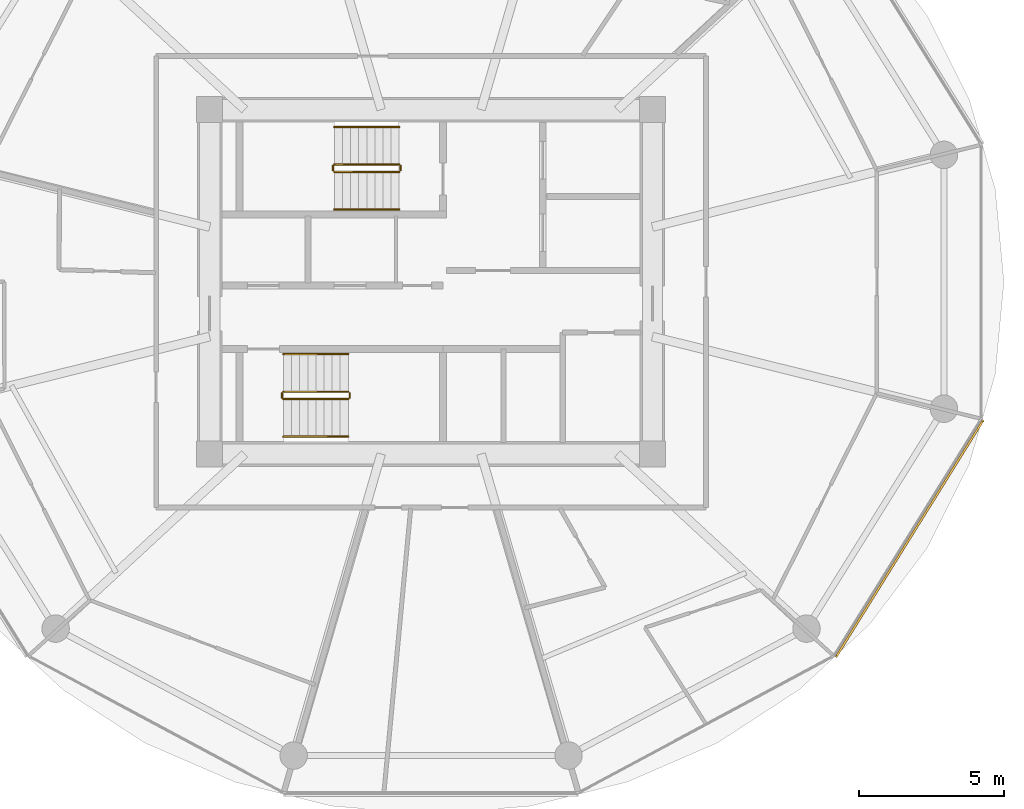
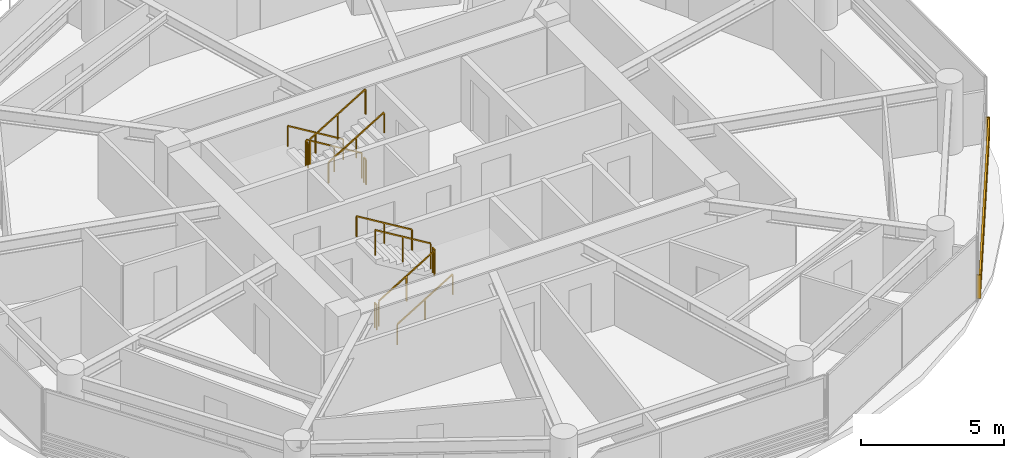
# One storey, part 26 of 27: 12 railings, 1 shading device.
"""IFC4 building model written with IfcOpenShell, lengths in metres."""

from ifc_helpers import new_model, si_unit, direction, frame, origin, origin_2d, place, context, subcontext, project, spatial, rectangle, extrude, source, transform, mapped, material, type_object, type_shapes, element, save


model = new_model("IFC4")

# Units and contexts
model_context = context("Model", 3, precision=1e-05, world=origin(), true_north=direction((0.0, 1.0)))
body_context = subcontext(model_context, "Body", "Model", "MODEL_VIEW")
ifc_project = project(units=[si_unit("LENGTHUNIT", "METRE"), si_unit("AREAUNIT", "SQUARE_METRE"), si_unit("VOLUMEUNIT", "CUBIC_METRE"), si_unit("PLANEANGLEUNIT", "RADIAN"), si_unit("MASSUNIT", "GRAM", prefix="KILO")], contexts=[model_context])

# Site, building, storey
site_placement = place(None, origin())
site = spatial("IfcSite", under=ifc_project, at=site_placement, CompositionType="ELEMENT")
building_placement = place(site_placement, origin())
building = spatial("IfcBuilding", under=site, at=building_placement, Name="Norrkilde Senior Care Towers", CompositionType="ELEMENT")
storey_placement = place(building_placement, frame((0.0, 0.0, 61.25)))
storey = spatial("IfcBuildingStorey", under=building, at=storey_placement, Name="L18", CompositionType="ELEMENT", Elevation=61.25)

# Railings
ifc_material_1 = material(Name="Stainless Steel", Category="steel")
railing_type_1 = type_object("IfcRailingType", Name="Stair and Terrace Guardrail 1100", PredefinedType="GUARDRAIL", material=ifc_material_1)
railing_1_placement = place(storey_placement, frame((26.89990234375, 4.050048828125, 0.16943359375)))
element("IfcRailing", 1, at=railing_1_placement, inside=storey, type_object=railing_type_1, Name="L18 ST-E1 stair guard 1", PredefinedType="GUARDRAIL", context=body_context, shape_type="SweptSolid", body=[
    extrude(rectangle(XDim=0.048095703125, YDim=0.048095703125, at=origin_2d()), frame((0.0, 0.0, 1.076171875), z_axis=(-0.855553338991, 0.0, 0.51771467445), x_axis=(0.0, -1.0, 0.0)), (0.0, 0.0, 1.0), 2.6181640625),
    extrude(rectangle(XDim=0.0419921875, YDim=0.0419921875, at=origin_2d()), origin(), (0.0, 0.0, 1.0), 1.050048828125),
    extrude(rectangle(XDim=0.0419921875, YDim=0.0419921875, at=origin_2d()), frame((-1.1201171875, 0.0, 0.677734375)), (0.0, 0.0, 1.0), 1.050048828125),
    extrude(rectangle(XDim=0.0419921875, YDim=0.0419921875, at=origin_2d()), frame((-2.239990234375, 0.0, 1.35546875)), (0.0, 0.0, 1.0), 1.050048828125),
])
railing_2_placement = place(storey_placement, frame((24.610107421875, 4.0, 1.52490234375)))
element("IfcRailing", 2, at=railing_2_placement, inside=storey, type_object=railing_type_1, Name="L18 ST-E1 stair guard 2", PredefinedType="GUARDRAIL", context=body_context, shape_type="SweptSolid", body=[
    extrude(rectangle(XDim=0.048095703125, YDim=0.048095703125, at=origin_2d()), frame((0.0, 0.0, 1.076171875), z_axis=(0.0, -1.0, 0.0), x_axis=(1.0, 0.0, 0.0)), (0.0, 0.0, 1.0), 0.14990234375),
    extrude(rectangle(XDim=0.0419921875, YDim=0.0419921875, at=origin_2d()), origin(), (0.0, 0.0, 1.0), 1.050048828125),
    extrude(rectangle(XDim=0.0419921875, YDim=0.0419921875, at=origin_2d()), frame((0.0, -0.14990234375, 0.0)), (0.0, 0.0, 1.0), 1.050048828125),
])
railing_3_placement = place(storey_placement, frame((24.659912109375, 3.800048828125, 1.6943359375)))
element("IfcRailing", 3, at=railing_3_placement, inside=storey, type_object=railing_type_1, Name="L18 ST-E1 stair guard 3", PredefinedType="GUARDRAIL", context=body_context, shape_type="SweptSolid", body=[
    extrude(rectangle(XDim=0.048095703125, YDim=0.048095703125, at=origin_2d()), frame((0.0, 0.0, 1.076171875), z_axis=(0.855512035549, 0.0, 0.517782924622), x_axis=(0.0, 1.0, 0.0)), (0.0, 0.0, 1.0), 2.618408203125),
    extrude(rectangle(XDim=0.0419921875, YDim=0.0419921875, at=origin_2d()), origin(), (0.0, 0.0, 1.0), 1.050048828125),
    extrude(rectangle(XDim=0.0419921875, YDim=0.0419921875, at=origin_2d()), frame((1.1201171875, 0.0, 0.677734375)), (0.0, 0.0, 1.0), 1.050048828125),
    extrude(rectangle(XDim=0.0419921875, YDim=0.0419921875, at=origin_2d()), frame((2.239990234375, 0.0, 1.355712890625)), (0.0, 0.0, 1.0), 1.050048828125),
])
railing_4_placement = place(storey_placement, frame((26.949951171875, 4.0, 0.0)))
element("IfcRailing", 4, at=railing_4_placement, inside=storey, type_object=railing_type_1, Name="L18 ST-E1 stair guard 4", PredefinedType="GUARDRAIL", context=body_context, shape_type="SweptSolid", body=[
    extrude(rectangle(XDim=0.048095703125, YDim=0.048095703125, at=origin_2d()), frame((0.0, 0.0, 1.076171875), z_axis=(0.0, -1.0, 0.0), x_axis=(1.0, 0.0, 0.0)), (0.0, 0.0, 1.0), 0.14990234375),
    extrude(rectangle(XDim=0.0419921875, YDim=0.0419921875, at=origin_2d()), origin(), (0.0, 0.0, 1.0), 1.050048828125),
    extrude(rectangle(XDim=0.0419921875, YDim=0.0419921875, at=origin_2d()), frame((0.0, -0.14990234375, 0.0)), (0.0, 0.0, 1.0), 1.050048828125),
])
railing_5_placement = place(storey_placement, frame((22.89990234375, -4.050048828125, 0.16943359375)))
element("IfcRailing", 5, at=railing_5_placement, inside=storey, type_object=railing_type_1, Name="L18 ST-E2 stair guard 1", PredefinedType="GUARDRAIL", context=body_context, shape_type="SweptSolid", body=[
    extrude(rectangle(XDim=0.048095703125, YDim=0.048095703125, at=origin_2d()), frame((0.0, 0.0, 1.076171875), z_axis=(0.855553338991, 0.0, 0.51771467445), x_axis=(0.0, 1.0, 0.0)), (0.0, 0.0, 1.0), 2.6181640625),
    extrude(rectangle(XDim=0.0419921875, YDim=0.0419921875, at=origin_2d()), origin(), (0.0, 0.0, 1.0), 1.050048828125),
    extrude(rectangle(XDim=0.0419921875, YDim=0.0419921875, at=origin_2d()), frame((1.1201171875, 0.0, 0.677734375)), (0.0, 0.0, 1.0), 1.050048828125),
    extrude(rectangle(XDim=0.0419921875, YDim=0.0419921875, at=origin_2d()), frame((2.239990234375, 0.0, 1.35546875)), (0.0, 0.0, 1.0), 1.050048828125),
])
railing_6_placement = place(storey_placement, frame((25.18994140625, -4.0, 1.52490234375)))
element("IfcRailing", 6, at=railing_6_placement, inside=storey, type_object=railing_type_1, Name="L18 ST-E2 stair guard 2", PredefinedType="GUARDRAIL", context=body_context, shape_type="SweptSolid", body=[
    extrude(rectangle(XDim=0.048095703125, YDim=0.048095703125, at=origin_2d()), frame((0.0, 0.0, 1.076171875), z_axis=(0.0, 1.0, 0.0), x_axis=(-1.0, 0.0, 0.0)), (0.0, 0.0, 1.0), 0.14990234375),
    extrude(rectangle(XDim=0.0419921875, YDim=0.0419921875, at=origin_2d()), origin(), (0.0, 0.0, 1.0), 1.050048828125),
    extrude(rectangle(XDim=0.0419921875, YDim=0.0419921875, at=origin_2d()), frame((0.0, 0.14990234375, 0.0)), (0.0, 0.0, 1.0), 1.050048828125),
])
railing_7_placement = place(storey_placement, frame((25.139892578125, -3.800048828125, 1.6943359375)))
element("IfcRailing", 7, at=railing_7_placement, inside=storey, type_object=railing_type_1, Name="L18 ST-E2 stair guard 3", PredefinedType="GUARDRAIL", context=body_context, shape_type="SweptSolid", body=[
    extrude(rectangle(XDim=0.048095703125, YDim=0.048095703125, at=origin_2d()), frame((0.0, 0.0, 1.076171875), z_axis=(-0.855512035549, 0.0, 0.517782924622), x_axis=(0.0, -1.0, 0.0)), (0.0, 0.0, 1.0), 2.618408203125),
    extrude(rectangle(XDim=0.0419921875, YDim=0.0419921875, at=origin_2d()), origin(), (0.0, 0.0, 1.0), 1.050048828125),
    extrude(rectangle(XDim=0.0419921875, YDim=0.0419921875, at=origin_2d()), frame((-1.1201171875, 0.0, 0.677734375)), (0.0, 0.0, 1.0), 1.050048828125),
    extrude(rectangle(XDim=0.0419921875, YDim=0.0419921875, at=origin_2d()), frame((-2.239990234375, 0.0, 1.355712890625)), (0.0, 0.0, 1.0), 1.050048828125),
])
railing_8_placement = place(storey_placement, frame((22.85009765625, -4.0, 0.0)))
element("IfcRailing", 8, at=railing_8_placement, inside=storey, type_object=railing_type_1, Name="L18 ST-E2 stair guard 4", PredefinedType="GUARDRAIL", context=body_context, shape_type="SweptSolid", body=[
    extrude(rectangle(XDim=0.048095703125, YDim=0.048095703125, at=origin_2d()), frame((0.0, 0.0, 1.076171875), z_axis=(0.0, 1.0, 0.0), x_axis=(-1.0, 0.0, 0.0)), (0.0, 0.0, 1.0), 0.14990234375),
    extrude(rectangle(XDim=0.0419921875, YDim=0.0419921875, at=origin_2d()), origin(), (0.0, 0.0, 1.0), 1.050048828125),
    extrude(rectangle(XDim=0.0419921875, YDim=0.0419921875, at=origin_2d()), frame((0.0, 0.14990234375, 0.0)), (0.0, 0.0, 1.0), 1.050048828125),
])
ifc_material_2 = material(Name="Nordic Ash Timber", Category="wood")
railing_type_2 = type_object("IfcRailingType", Name="Wall and Stair Handrail 900", PredefinedType="HANDRAIL", material=ifc_material_2)
railing_9_placement = place(storey_placement, frame((26.89990234375, 5.35009765625, 0.16943359375)))
element("IfcRailing", 9, at=railing_9_placement, inside=storey, type_object=railing_type_2, Name="L18 ST-E1 stair handrail 1", PredefinedType="HANDRAIL", context=body_context, shape_type="SweptSolid", body=[
    extrude(rectangle(XDim=0.048095703125, YDim=0.048095703125, at=origin_2d()), frame((0.0, 0.0, 0.8759765625), z_axis=(-0.855553338991, 0.0, 0.51771467445), x_axis=(0.0, -1.0, 0.0)), (0.0, 0.0, 1.0), 2.6181640625),
    extrude(rectangle(XDim=0.0419921875, YDim=0.0419921875, at=origin_2d()), origin(), (0.0, 0.0, 1.0), 0.849853515625),
    extrude(rectangle(XDim=0.0419921875, YDim=0.0419921875, at=origin_2d()), frame((-1.1201171875, 0.0, 0.677734375)), (0.0, 0.0, 1.0), 0.849853515625),
    extrude(rectangle(XDim=0.0419921875, YDim=0.0419921875, at=origin_2d()), frame((-2.239990234375, 0.0, 1.35546875)), (0.0, 0.0, 1.0), 0.849853515625),
])
railing_10_placement = place(storey_placement, frame((24.659912109375, 2.5, 1.6943359375)))
element("IfcRailing", 10, at=railing_10_placement, inside=storey, type_object=railing_type_2, Name="L18 ST-E1 stair handrail 2", PredefinedType="HANDRAIL", context=body_context, shape_type="SweptSolid", body=[
    extrude(rectangle(XDim=0.048095703125, YDim=0.048095703125, at=origin_2d()), frame((0.0, 0.0, 0.8759765625), z_axis=(0.855512035549, 0.0, 0.517782924622), x_axis=(0.0, 1.0, 0.0)), (0.0, 0.0, 1.0), 2.618408203125),
    extrude(rectangle(XDim=0.0419921875, YDim=0.0419921875, at=origin_2d()), origin(), (0.0, 0.0, 1.0), 0.849853515625),
    extrude(rectangle(XDim=0.0419921875, YDim=0.0419921875, at=origin_2d()), frame((1.1201171875, 0.0, 0.677734375)), (0.0, 0.0, 1.0), 0.849853515625),
    extrude(rectangle(XDim=0.0419921875, YDim=0.0419921875, at=origin_2d()), frame((2.239990234375, 0.0, 1.355712890625)), (0.0, 0.0, 1.0), 0.849853515625),
])
railing_11_placement = place(storey_placement, frame((22.89990234375, -5.35009765625, 0.16943359375)))
element("IfcRailing", 11, at=railing_11_placement, inside=storey, type_object=railing_type_2, Name="L18 ST-E2 stair handrail 1", PredefinedType="HANDRAIL", context=body_context, shape_type="SweptSolid", body=[
    extrude(rectangle(XDim=0.048095703125, YDim=0.048095703125, at=origin_2d()), frame((0.0, 0.0, 0.8759765625), z_axis=(0.855553338991, 0.0, 0.51771467445), x_axis=(0.0, 1.0, 0.0)), (0.0, 0.0, 1.0), 2.6181640625),
    extrude(rectangle(XDim=0.0419921875, YDim=0.0419921875, at=origin_2d()), origin(), (0.0, 0.0, 1.0), 0.849853515625),
    extrude(rectangle(XDim=0.0419921875, YDim=0.0419921875, at=origin_2d()), frame((1.1201171875, 0.0, 0.677734375)), (0.0, 0.0, 1.0), 0.849853515625),
    extrude(rectangle(XDim=0.0419921875, YDim=0.0419921875, at=origin_2d()), frame((2.239990234375, 0.0, 1.35546875)), (0.0, 0.0, 1.0), 0.849853515625),
])
railing_12_placement = place(storey_placement, frame((25.139892578125, -2.5, 1.6943359375)))
element("IfcRailing", 12, at=railing_12_placement, inside=storey, type_object=railing_type_2, Name="L18 ST-E2 stair handrail 2", PredefinedType="HANDRAIL", context=body_context, shape_type="SweptSolid", body=[
    extrude(rectangle(XDim=0.048095703125, YDim=0.048095703125, at=origin_2d()), frame((0.0, 0.0, 0.8759765625), z_axis=(-0.855512035549, 0.0, 0.517782924622), x_axis=(0.0, -1.0, 0.0)), (0.0, 0.0, 1.0), 2.618408203125),
    extrude(rectangle(XDim=0.0419921875, YDim=0.0419921875, at=origin_2d()), origin(), (0.0, 0.0, 1.0), 0.849853515625),
    extrude(rectangle(XDim=0.0419921875, YDim=0.0419921875, at=origin_2d()), frame((-1.1201171875, 0.0, 0.677734375)), (0.0, 0.0, 1.0), 0.849853515625),
    extrude(rectangle(XDim=0.0419921875, YDim=0.0419921875, at=origin_2d()), frame((-2.239990234375, 0.0, 1.355712890625)), (0.0, 0.0, 1.0), 0.849853515625),
])

# Shading device
ifc_material_3 = material(Name="Architectural Terracotta", Category="masonry")
shading_device_type = type_object("IfcShadingDeviceType", Name="Horizontal Terracotta Baguette Rack", PredefinedType="USERDEFINED", material=ifc_material_3)
shared_shape = source(origin(), body_context, "Body", "SweptSolid", [
    extrude(rectangle(XDim=0.070068359375, YDim=0.110107421875, at=origin_2d()), frame((0.0, 0.090087890625, 0.125), z_axis=(1.0, 0.0, 0.0), x_axis=(0.0, 1.0, 0.0)), (0.0, 0.0, 1.0), 9.64892578125),
    extrude(rectangle(XDim=0.070068359375, YDim=0.110107421875, at=origin_2d()), frame((0.0, 0.090087890625, 0.375), z_axis=(1.0, 0.0, 0.0), x_axis=(0.0, 1.0, 0.0)), (0.0, 0.0, 1.0), 9.64892578125),
    extrude(rectangle(XDim=0.070068359375, YDim=0.110107421875, at=origin_2d()), frame((0.0, 0.090087890625, 0.625), z_axis=(1.0, 0.0, 0.0), x_axis=(0.0, 1.0, 0.0)), (0.0, 0.0, 1.0), 9.64892578125),
    extrude(rectangle(XDim=0.070068359375, YDim=0.110107421875, at=origin_2d()), frame((0.0, 0.090087890625, 0.875), z_axis=(1.0, 0.0, 0.0), x_axis=(0.0, 1.0, 0.0)), (0.0, 0.0, 1.0), 9.64892578125),
    extrude(rectangle(XDim=0.050048828125, YDim=0.1552734375, at=origin_2d()), frame((0.02490234375, 0.047607421875, 0.0)), (0.0, 0.0, 1.0), 1.0),
    extrude(rectangle(XDim=0.050048828125, YDim=0.1552734375, at=origin_2d()), frame((9.6240234375, 0.047607421875, 0.0)), (0.0, 0.0, 1.0), 1.0),
])
type_shapes(shading_device_type, [shared_shape])
shading_device_placement = place(storey_placement, frame((47.009521484375, -4.731201171875, 0.080078125), z_axis=(0.0, 0.0, 1.0), x_axis=(-0.527908506655, -0.849299124538, 0.0)))
element("IfcShadingDevice", 13, at=shading_device_placement, inside=storey, type_object=shading_device_type, Name="L18 Drum E Terracotta Baguette Screen 10", ObjectType="BAGUETTE", PredefinedType="USERDEFINED", context=body_context, shape_type="MappedRepresentation", body=[
    mapped(shared_shape, transform((0.0, 0.0, 0.0), x_axis=(1.0, 0.0, 0.0), y_axis=(0.0, 1.0, 0.0), z_axis=(0.0, 0.0, 1.0), scale=1.0)),
])

save(model, "model.ifc")
